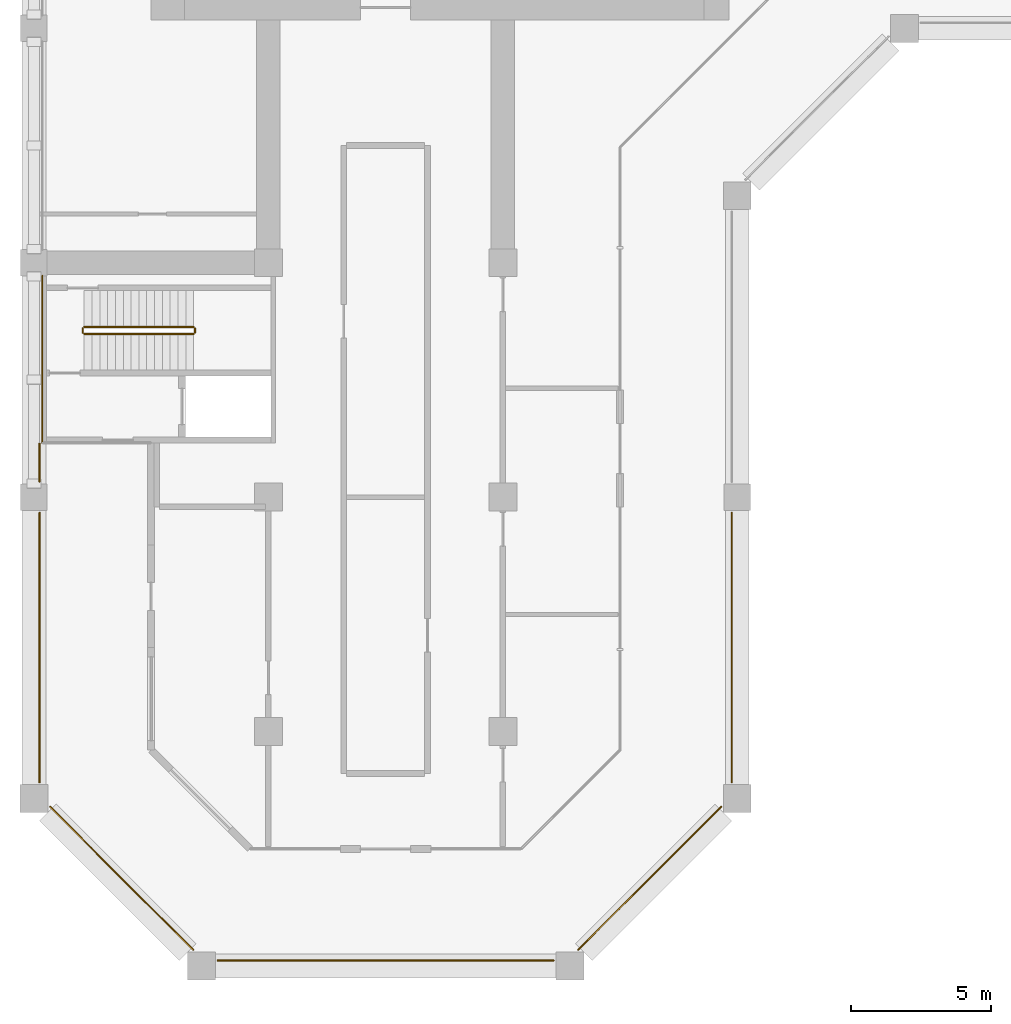
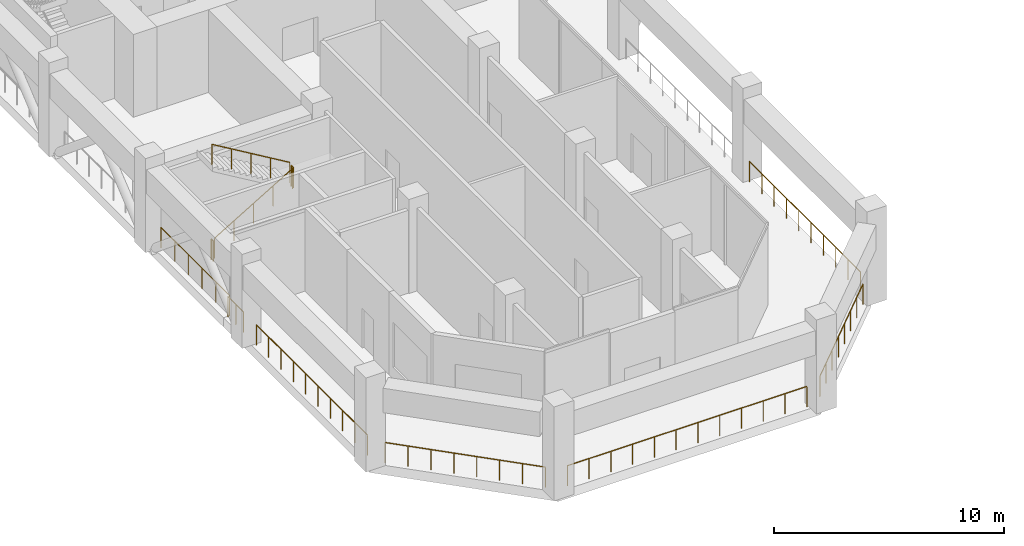
# One storey, part 12 of 19: 11 railings.
"""IFC4 building model written with IfcOpenShell, lengths in metres."""

from ifc_helpers import new_model, si_unit, direction, frame, origin, origin_2d, place, context, subcontext, project, spatial, circle, extrude, material, type_object, element, save


model = new_model("IFC4")

# Units and contexts
model_context = context("Model", 3, precision=1e-05, world=origin(), true_north=direction((0.0, 1.0)))
body_context = subcontext(model_context, "Body", "Model", "MODEL_VIEW")
ifc_project = project(units=[si_unit("LENGTHUNIT", "METRE"), si_unit("AREAUNIT", "SQUARE_METRE"), si_unit("VOLUMEUNIT", "CUBIC_METRE"), si_unit("PLANEANGLEUNIT", "RADIAN"), si_unit("MASSUNIT", "GRAM", prefix="KILO")], contexts=[model_context])

# Site, building, storey
site_placement = place(None, origin())
site = spatial("IfcSite", under=ifc_project, at=site_placement, CompositionType="ELEMENT")
building_placement = place(site_placement, origin())
building = spatial("IfcBuilding", under=site, at=building_placement, Name="Kawkab Arch Medical Tower", CompositionType="ELEMENT")
storey_placement = place(building_placement, frame((0.0, 0.0, 153.39990234375)))
storey = spatial("IfcBuildingStorey", under=building, at=storey_placement, Name="L35", CompositionType="ELEMENT", Elevation=153.39990234375)

# Railings
ifc_material_1 = material(Name="Bronze anodised aluminium guard", Category="aluminium")
railing_type_1 = type_object("IfcRailingType", Name="Loggia and terrace guard 1100", PredefinedType="GUARDRAIL", material=ifc_material_1)
railing_1_placement = place(storey_placement, frame((0.300048828125, -34.074951171875, 0.0)))
element("IfcRailing", 1, at=railing_1_placement, inside=storey, type_object=railing_type_1, Name="Band guard L35.R02.4", PredefinedType="GUARDRAIL", context=body_context, shape_type="SweptSolid", body=[
    extrude(circle(Radius=0.02392578125, at=origin_2d()), frame((0.0, 0.0, 1.076171875), z_axis=(0.0, -1.0, 0.0), x_axis=(1.0, 0.0, 0.0)), (0.0, 0.0, 1.0), 5.97509765625),
    extrude(circle(Radius=0.02099609375, at=origin_2d()), origin(), (0.0, 0.0, 1.0), 1.052001953125),
    extrude(circle(Radius=0.02099609375, at=origin_2d()), frame((0.0, -1.195068359375, 0.0)), (0.0, 0.0, 1.0), 1.052001953125),
    extrude(circle(Radius=0.02099609375, at=origin_2d()), frame((0.0, -2.39013671875, 0.0)), (0.0, 0.0, 1.0), 1.052001953125),
    extrude(circle(Radius=0.02099609375, at=origin_2d()), frame((0.0, -3.5849609375, 0.0)), (0.0, 0.0, 1.0), 1.052001953125),
    extrude(circle(Radius=0.02099609375, at=origin_2d()), frame((0.0, -4.780029296875, 0.0)), (0.0, 0.0, 1.0), 1.052001953125),
    extrude(circle(Radius=0.02099609375, at=origin_2d()), frame((0.0, -5.97509765625, 0.0)), (0.0, 0.0, 1.0), 1.052001953125),
])
railing_2_placement = place(storey_placement, frame((25.0, -42.554931640625, 0.0)))
element("IfcRailing", 2, at=railing_2_placement, inside=storey, type_object=railing_type_1, Name="Guard L35.REF-01.1.12", PredefinedType="GUARDRAIL", context=body_context, shape_type="SweptSolid", body=[
    extrude(circle(Radius=0.02392578125, at=origin_2d()), frame((0.0, 0.0, 1.076171875), z_axis=(0.0, -1.0, 0.0), x_axis=(1.0, 0.0, 0.0)), (0.0, 0.0, 1.0), 9.6650390625),
    extrude(circle(Radius=0.02099609375, at=origin_2d()), origin(), (0.0, 0.0, 1.0), 1.052001953125),
    extrude(circle(Radius=0.02099609375, at=origin_2d()), frame((0.0, -1.073974609375, 0.0)), (0.0, 0.0, 1.0), 1.052001953125),
    extrude(circle(Radius=0.02099609375, at=origin_2d()), frame((0.0, -2.147705078125, 0.0)), (0.0, 0.0, 1.0), 1.052001953125),
    extrude(circle(Radius=0.02099609375, at=origin_2d()), frame((0.0, -3.2216796875, 0.0)), (0.0, 0.0, 1.0), 1.052001953125),
    extrude(circle(Radius=0.02099609375, at=origin_2d()), frame((0.0, -4.295654296875, 0.0)), (0.0, 0.0, 1.0), 1.052001953125),
    extrude(circle(Radius=0.02099609375, at=origin_2d()), frame((0.0, -5.369384765625, 0.0)), (0.0, 0.0, 1.0), 1.052001953125),
    extrude(circle(Radius=0.02099609375, at=origin_2d()), frame((0.0, -6.443359375, 0.0)), (0.0, 0.0, 1.0), 1.052001953125),
    extrude(circle(Radius=0.02099609375, at=origin_2d()), frame((0.0, -7.517333984375, 0.0)), (0.0, 0.0, 1.0), 1.052001953125),
    extrude(circle(Radius=0.02099609375, at=origin_2d()), frame((0.0, -8.591064453125, 0.0)), (0.0, 0.0, 1.0), 1.052001953125),
    extrude(circle(Radius=0.02099609375, at=origin_2d()), frame((0.0, -9.6650390625, 0.0)), (0.0, 0.0, 1.0), 1.052001953125),
])
railing_3_placement = place(storey_placement, frame((24.6201171875, -53.096923828125, 0.0)))
element("IfcRailing", 3, at=railing_3_placement, inside=storey, type_object=railing_type_1, Name="Guard L35.REF-01.1.13", PredefinedType="GUARDRAIL", context=body_context, shape_type="SweptSolid", body=[
    extrude(circle(Radius=0.02392578125, at=origin_2d()), frame((0.0, 0.0, 1.076171875), z_axis=(-0.707106781187, -0.707106781187, 0.0), x_axis=(0.707106781187, -0.707106781187, 0.0)), (0.0, 0.0, 1.0), 7.2451171875),
    extrude(circle(Radius=0.02099609375, at=origin_2d()), origin(), (0.0, 0.0, 1.0), 1.052001953125),
    extrude(circle(Radius=0.02099609375, at=origin_2d()), frame((-0.73193359375, -0.73193359375, 0.0)), (0.0, 0.0, 1.0), 1.052001953125),
    extrude(circle(Radius=0.02099609375, at=origin_2d()), frame((-1.463623046875, -1.463623046875, 0.0)), (0.0, 0.0, 1.0), 1.052001953125),
    extrude(circle(Radius=0.02099609375, at=origin_2d()), frame((-2.195556640625, -2.195556640625, 0.0)), (0.0, 0.0, 1.0), 1.052001953125),
    extrude(circle(Radius=0.02099609375, at=origin_2d()), frame((-2.927490234375, -2.927490234375, 0.0)), (0.0, 0.0, 1.0), 1.052001953125),
    extrude(circle(Radius=0.02099609375, at=origin_2d()), frame((-3.659423828125, -3.659423828125, 0.0)), (0.0, 0.0, 1.0), 1.052001953125),
    extrude(circle(Radius=0.02099609375, at=origin_2d()), frame((-4.39111328125, -4.39111328125, 0.0)), (0.0, 0.0, 1.0), 1.052001953125),
    extrude(circle(Radius=0.02099609375, at=origin_2d()), frame((-5.123046875, -5.123046875, 0.0)), (0.0, 0.0, 1.0), 1.052001953125),
])
railing_4_placement = place(storey_placement, frame((18.6201171875, -58.60009765625, 0.0)))
element("IfcRailing", 4, at=railing_4_placement, inside=storey, type_object=railing_type_1, Name="Guard L35.REF-01.1.14", PredefinedType="GUARDRAIL", context=body_context, shape_type="SweptSolid", body=[
    extrude(circle(Radius=0.02392578125, at=origin_2d()), frame((0.0, 0.0, 1.076171875), z_axis=(-1.0, 0.0, 0.0), x_axis=(0.0, -1.0, 0.0)), (0.0, 0.0, 1.0), 12.0400390625),
    extrude(circle(Radius=0.02099609375, at=origin_2d()), origin(), (0.0, 0.0, 1.0), 1.052001953125),
    extrude(circle(Radius=0.02099609375, at=origin_2d()), frame((-1.094482421875, 0.0, 0.0)), (0.0, 0.0, 1.0), 1.052001953125),
    extrude(circle(Radius=0.02099609375, at=origin_2d()), frame((-2.189208984375, 0.0, 0.0)), (0.0, 0.0, 1.0), 1.052001953125),
    extrude(circle(Radius=0.02099609375, at=origin_2d()), frame((-3.28369140625, 0.0, 0.0)), (0.0, 0.0, 1.0), 1.052001953125),
    extrude(circle(Radius=0.02099609375, at=origin_2d()), frame((-4.378173828125, 0.0, 0.0)), (0.0, 0.0, 1.0), 1.052001953125),
    extrude(circle(Radius=0.02099609375, at=origin_2d()), frame((-5.47265625, 0.0, 0.0)), (0.0, 0.0, 1.0), 1.052001953125),
    extrude(circle(Radius=0.02099609375, at=origin_2d()), frame((-6.5673828125, 0.0, 0.0)), (0.0, 0.0, 1.0), 1.052001953125),
    extrude(circle(Radius=0.02099609375, at=origin_2d()), frame((-7.661865234375, 0.0, 0.0)), (0.0, 0.0, 1.0), 1.052001953125),
    extrude(circle(Radius=0.02099609375, at=origin_2d()), frame((-8.75634765625, 0.0, 0.0)), (0.0, 0.0, 1.0), 1.052001953125),
    extrude(circle(Radius=0.02099609375, at=origin_2d()), frame((-9.850830078125, 0.0, 0.0)), (0.0, 0.0, 1.0), 1.052001953125),
    extrude(circle(Radius=0.02099609375, at=origin_2d()), frame((-10.945556640625, 0.0, 0.0)), (0.0, 0.0, 1.0), 1.052001953125),
    extrude(circle(Radius=0.02099609375, at=origin_2d()), frame((-12.0400390625, 0.0, 0.0)), (0.0, 0.0, 1.0), 1.052001953125),
])
railing_5_placement = place(storey_placement, frame((5.702880859375, -58.219970703125, 0.0)))
element("IfcRailing", 5, at=railing_5_placement, inside=storey, type_object=railing_type_1, Name="Guard L35.REF-01.1.15", PredefinedType="GUARDRAIL", context=body_context, shape_type="SweptSolid", body=[
    extrude(circle(Radius=0.02392578125, at=origin_2d()), frame((0.0, 0.0, 1.076171875), z_axis=(-0.707089931871, 0.7071236301, 0.0), x_axis=(-0.7071236301, -0.707089931871, 0.0)), (0.0, 0.0, 1.0), 7.244873046875),
    extrude(circle(Radius=0.02099609375, at=origin_2d()), origin(), (0.0, 0.0, 1.0), 1.052001953125),
    extrude(circle(Radius=0.02099609375, at=origin_2d()), frame((-0.73193359375, 0.73193359375, 0.0)), (0.0, 0.0, 1.0), 1.052001953125),
    extrude(circle(Radius=0.02099609375, at=origin_2d()), frame((-1.463623046875, 1.463623046875, 0.0)), (0.0, 0.0, 1.0), 1.052001953125),
    extrude(circle(Radius=0.02099609375, at=origin_2d()), frame((-2.195556640625, 2.195556640625, 0.0)), (0.0, 0.0, 1.0), 1.052001953125),
    extrude(circle(Radius=0.02099609375, at=origin_2d()), frame((-2.92724609375, 2.927490234375, 0.0)), (0.0, 0.0, 1.0), 1.052001953125),
    extrude(circle(Radius=0.02099609375, at=origin_2d()), frame((-3.6591796875, 3.659423828125, 0.0)), (0.0, 0.0, 1.0), 1.052001953125),
    extrude(circle(Radius=0.02099609375, at=origin_2d()), frame((-4.390869140625, 4.39111328125, 0.0)), (0.0, 0.0, 1.0), 1.052001953125),
    extrude(circle(Radius=0.02099609375, at=origin_2d()), frame((-5.122802734375, 5.123046875, 0.0)), (0.0, 0.0, 1.0), 1.052001953125),
])
railing_6_placement = place(storey_placement, frame((0.199951171875, -52.219970703125, 0.0)))
element("IfcRailing", 6, at=railing_6_placement, inside=storey, type_object=railing_type_1, Name="Guard L35.REF-01.1.16", PredefinedType="GUARDRAIL", context=body_context, shape_type="SweptSolid", body=[
    extrude(circle(Radius=0.02392578125, at=origin_2d()), frame((0.0, 0.0, 1.076171875), z_axis=(0.0, 1.0, 0.0), x_axis=(-1.0, 0.0, 0.0)), (0.0, 0.0, 1.0), 9.6650390625),
    extrude(circle(Radius=0.02099609375, at=origin_2d()), origin(), (0.0, 0.0, 1.0), 1.052001953125),
    extrude(circle(Radius=0.02099609375, at=origin_2d()), frame((0.0, 1.073974609375, 0.0)), (0.0, 0.0, 1.0), 1.052001953125),
    extrude(circle(Radius=0.02099609375, at=origin_2d()), frame((0.0, 2.147705078125, 0.0)), (0.0, 0.0, 1.0), 1.052001953125),
    extrude(circle(Radius=0.02099609375, at=origin_2d()), frame((0.0, 3.2216796875, 0.0)), (0.0, 0.0, 1.0), 1.052001953125),
    extrude(circle(Radius=0.02099609375, at=origin_2d()), frame((0.0, 4.295654296875, 0.0)), (0.0, 0.0, 1.0), 1.052001953125),
    extrude(circle(Radius=0.02099609375, at=origin_2d()), frame((0.0, 5.369384765625, 0.0)), (0.0, 0.0, 1.0), 1.052001953125),
    extrude(circle(Radius=0.02099609375, at=origin_2d()), frame((0.0, 6.443359375, 0.0)), (0.0, 0.0, 1.0), 1.052001953125),
    extrude(circle(Radius=0.02099609375, at=origin_2d()), frame((0.0, 7.517333984375, 0.0)), (0.0, 0.0, 1.0), 1.052001953125),
    extrude(circle(Radius=0.02099609375, at=origin_2d()), frame((0.0, 8.591064453125, 0.0)), (0.0, 0.0, 1.0), 1.052001953125),
    extrude(circle(Radius=0.02099609375, at=origin_2d()), frame((0.0, 9.6650390625, 0.0)), (0.0, 0.0, 1.0), 1.052001953125),
])
railing_7_placement = place(storey_placement, frame((0.199951171875, -41.445068359375, 0.0)))
element("IfcRailing", 7, at=railing_7_placement, inside=storey, type_object=railing_type_1, Name="Guard L35.REF-01.1.17", PredefinedType="GUARDRAIL", context=body_context, shape_type="SweptSolid", body=[
    extrude(circle(Radius=0.02392578125, at=origin_2d()), frame((0.0, 0.0, 1.076171875), z_axis=(0.0, 1.0, 0.0), x_axis=(-1.0, 0.0, 0.0)), (0.0, 0.0, 1.0), 1.364990234375),
    extrude(circle(Radius=0.02099609375, at=origin_2d()), origin(), (0.0, 0.0, 1.0), 1.052001953125),
    extrude(circle(Radius=0.02099609375, at=origin_2d()), frame((0.0, 0.6826171875, 0.0)), (0.0, 0.0, 1.0), 1.052001953125),
    extrude(circle(Radius=0.02099609375, at=origin_2d()), frame((0.0, 1.364990234375, 0.0)), (0.0, 0.0, 1.0), 1.052001953125),
])
ifc_material_2 = material(Name="Stainless steel", Category="steel")
railing_type_2 = type_object("IfcRailingType", Name="Stair guard 1100", PredefinedType="GUARDRAIL", material=ifc_material_2)
railing_8_placement = place(storey_placement, frame((1.800048828125, -36.14990234375, 0.166748046875)))
element("IfcRailing", 8, at=railing_8_placement, inside=storey, type_object=railing_type_2, Name="L35 ST6 stair guard 1", PredefinedType="GUARDRAIL", context=body_context, shape_type="SweptSolid", body=[
    extrude(circle(Radius=0.02392578125, at=origin_2d()), frame((0.0, 0.0, 1.076171875), z_axis=(0.859296244711, 0.0, 0.511478214419), x_axis=(0.0, 1.0, 0.0)), (0.0, 0.0, 1.0), 4.561767578125),
    extrude(circle(Radius=0.02099609375, at=origin_2d()), origin(), (0.0, 0.0, 1.0), 1.052001953125),
    extrude(circle(Radius=0.02099609375, at=origin_2d()), frame((0.97998046875, 0.0, 0.583251953125)), (0.0, 0.0, 1.0), 1.052001953125),
    extrude(circle(Radius=0.02099609375, at=origin_2d()), frame((1.9599609375, 0.0, 1.16650390625)), (0.0, 0.0, 1.0), 1.052001953125),
    extrude(circle(Radius=0.02099609375, at=origin_2d()), frame((2.93994140625, 0.0, 1.75)), (0.0, 0.0, 1.0), 1.052001953125),
    extrude(circle(Radius=0.02099609375, at=origin_2d()), frame((3.919921875, 0.0, 2.333251953125)), (0.0, 0.0, 1.0), 1.052001953125),
])
railing_9_placement = place(storey_placement, frame((5.77001953125, -36.10009765625, 2.5)))
element("IfcRailing", 9, at=railing_9_placement, inside=storey, type_object=railing_type_2, Name="L35 ST6 stair guard 2", PredefinedType="GUARDRAIL", context=body_context, shape_type="SweptSolid", body=[
    extrude(circle(Radius=0.02392578125, at=origin_2d()), frame((0.0, 0.0, 1.076171875), z_axis=(0.0, 1.0, 0.0), x_axis=(-1.0, 0.0, 0.0)), (0.0, 0.0, 1.0), 0.150146484375),
    extrude(circle(Radius=0.02099609375, at=origin_2d()), origin(), (0.0, 0.0, 1.0), 1.052001953125),
    extrude(circle(Radius=0.02099609375, at=origin_2d()), frame((0.0, 0.150146484375, 0.0)), (0.0, 0.0, 1.0), 1.052001953125),
])
railing_10_placement = place(storey_placement, frame((5.719970703125, -35.89990234375, 2.666748046875)))
element("IfcRailing", 10, at=railing_10_placement, inside=storey, type_object=railing_type_2, Name="L35 ST6 stair guard 3", PredefinedType="GUARDRAIL", context=body_context, shape_type="SweptSolid", body=[
    extrude(circle(Radius=0.02392578125, at=origin_2d()), frame((0.0, 0.0, 1.076171875), z_axis=(-0.859296244711, 0.0, 0.511478214419), x_axis=(0.0, -1.0, 0.0)), (0.0, 0.0, 1.0), 4.561767578125),
    extrude(circle(Radius=0.02099609375, at=origin_2d()), origin(), (0.0, 0.0, 1.0), 1.052001953125),
    extrude(circle(Radius=0.02099609375, at=origin_2d()), frame((-0.97998046875, 0.0, 0.583251953125)), (0.0, 0.0, 1.0), 1.052001953125),
    extrude(circle(Radius=0.02099609375, at=origin_2d()), frame((-1.9599609375, 0.0, 1.16650390625)), (0.0, 0.0, 1.0), 1.052001953125),
    extrude(circle(Radius=0.02099609375, at=origin_2d()), frame((-2.93994140625, 0.0, 1.75)), (0.0, 0.0, 1.0), 1.052001953125),
    extrude(circle(Radius=0.02099609375, at=origin_2d()), frame((-3.919921875, 0.0, 2.333251953125)), (0.0, 0.0, 1.0), 1.052001953125),
])
railing_11_placement = place(storey_placement, frame((1.75, -36.10009765625, 0.0)))
element("IfcRailing", 11, at=railing_11_placement, inside=storey, type_object=railing_type_2, Name="L35 ST6 stair guard 4", PredefinedType="GUARDRAIL", context=body_context, shape_type="SweptSolid", body=[
    extrude(circle(Radius=0.02392578125, at=origin_2d()), frame((0.0, 0.0, 1.076171875), z_axis=(0.0, 1.0, 0.0), x_axis=(-1.0, 0.0, 0.0)), (0.0, 0.0, 1.0), 0.150146484375),
    extrude(circle(Radius=0.02099609375, at=origin_2d()), origin(), (0.0, 0.0, 1.0), 1.052001953125),
    extrude(circle(Radius=0.02099609375, at=origin_2d()), frame((0.0, 0.150146484375, 0.0)), (0.0, 0.0, 1.0), 1.052001953125),
])

save(model, "model.ifc")
